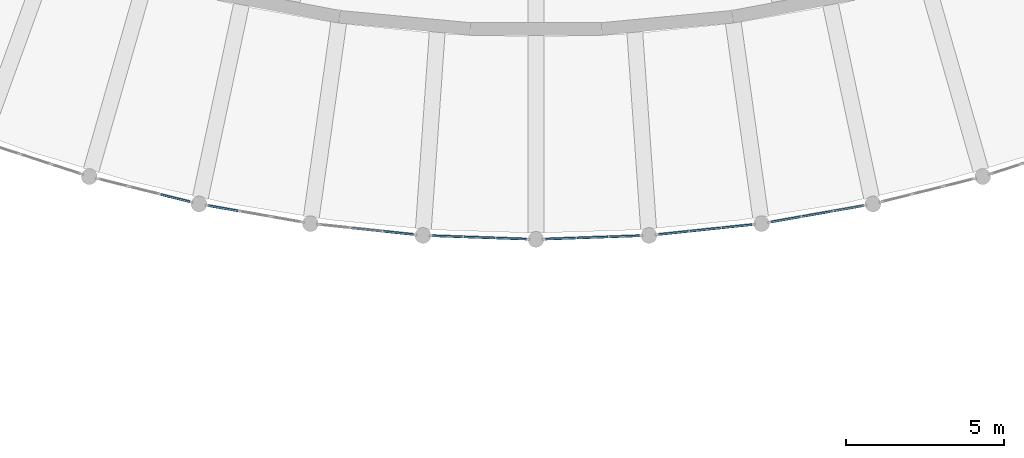
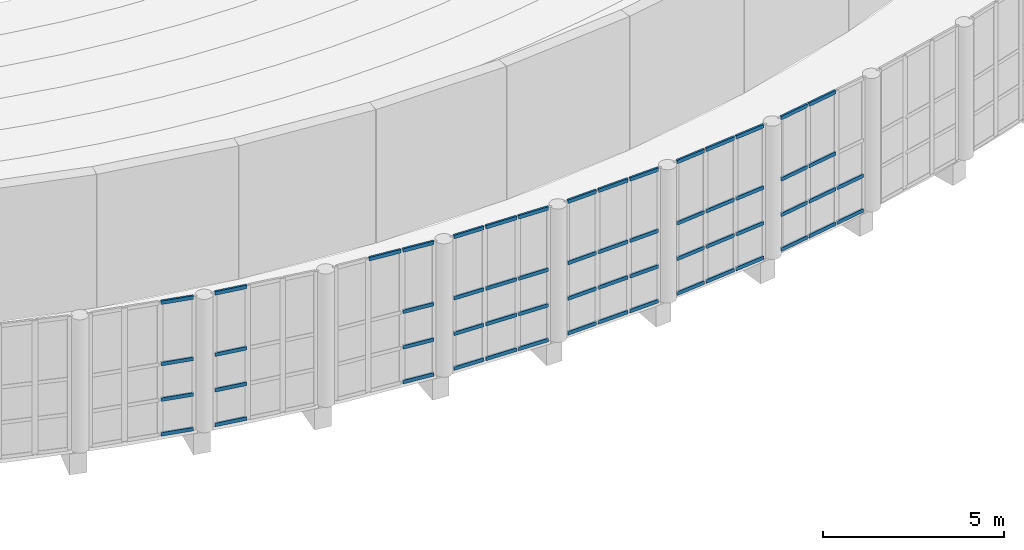
# One storey, part 59 of 162: 59 members, 7 elements without a shape of their own.
"""IFC4 building model written with IfcOpenShell, lengths in metres."""

from ifc_helpers import new_model, si_unit, direction, frame, origin, origin_2d, place, context, subcontext, project, spatial, rectangle, extrude, material, layer, layer_set, material_profile, profile_set, type_object, element, aggregate, save


model = new_model("IFC4")

# Units and contexts
model_context = context("Model", 3, precision=1e-05, world=origin(), true_north=direction((0.0, 1.0)))
body_context = subcontext(model_context, "Body", "Model", "MODEL_VIEW")
ifc_project = project(units=[si_unit("LENGTHUNIT", "METRE"), si_unit("AREAUNIT", "SQUARE_METRE"), si_unit("VOLUMEUNIT", "CUBIC_METRE"), si_unit("PLANEANGLEUNIT", "RADIAN"), si_unit("MASSUNIT", "GRAM", prefix="KILO")], contexts=[model_context])

# Site, building, storey
site_placement = place(None, origin())
site = spatial("IfcSite", under=ifc_project, at=site_placement, CompositionType="ELEMENT")
building_placement = place(site_placement, origin())
building = spatial("IfcBuilding", under=site, at=building_placement, Name="Rain Tree Exposition and Congress Centre", CompositionType="ELEMENT")
storey_placement = place(building_placement, frame((0.0, 0.0, 6.0)))
storey = spatial("IfcBuildingStorey", under=building, at=storey_placement, Name="L01", CompositionType="ELEMENT", Elevation=6.0)

# Curtain wall, members
ifc_material_1 = material(Name="Aluminium", Category="aluminium")
ifc_layer = layer(ifc_material_1, 0.10009765625)
ifc_layer_set = layer_set([ifc_layer], Name="Aluminium")
curtain_wall_type = type_object("IfcCurtainWallType", Name="Curtain wall congress", PredefinedType="NOTDEFINED", material=ifc_layer_set)
curtain_wall_1_placement = place(storey_placement, origin())
curtain_wall_1 = element("IfcCurtainWall", 1, at=curtain_wall_1_placement, inside=storey, type_object=curtain_wall_type, Name="Curtain wall L01 bay 7", PredefinedType="NOTDEFINED")
ifc_material_2 = material(Name="Aluminium", Category="aluminium")
ifc_material_profile = material_profile(ifc_material_2, rectangle(XDim=0.06005859375, YDim=0.1201171875, at=origin_2d()), Name="AL 60x120")
ifc_profile_set = profile_set([ifc_material_profile], Name="Aluminium")
member_type = type_object("IfcMemberType", Name="Curtain wall transom 60x120 congress", PredefinedType="USERDEFINED", material=ifc_profile_set)
member_1_placement = place(storey_placement, frame((189.747314453125, 17.419921875, 0.030029296875), z_axis=(0.970295984, -0.241920861923, 0.0), x_axis=(0.241920861923, 0.970295984, 0.0)))
member_1 = element("IfcMember", 2, at=member_1_placement, type_object=member_type, Name="CWG207 transom 3.1", ObjectType="TRANSOM", PredefinedType="USERDEFINED", context=body_context, shape_type="SweptSolid", body=[
    extrude(rectangle(XDim=0.06005859375, YDim=0.1201171875, at=origin_2d()), origin(), (0.0, 0.0, 1.0), 0.9345703125),
])
member_2_placement = place(storey_placement, frame((189.747314453125, 17.419921875, 1.199951171875), z_axis=(0.970295984, -0.241920861923, 0.0), x_axis=(0.241920861923, 0.970295984, 0.0)))
member_2 = element("IfcMember", 3, at=member_2_placement, type_object=member_type, Name="CWG207 transom 3.2", ObjectType="TRANSOM", PredefinedType="USERDEFINED", context=body_context, shape_type="SweptSolid", body=[
    extrude(rectangle(XDim=0.06005859375, YDim=0.1201171875, at=origin_2d()), origin(), (0.0, 0.0, 1.0), 0.9345703125),
])
member_3_placement = place(storey_placement, frame((189.747314453125, 17.419921875, 2.39990234375), z_axis=(0.970295984, -0.241920861923, 0.0), x_axis=(0.241920861923, 0.970295984, 0.0)))
member_3 = element("IfcMember", 4, at=member_3_placement, type_object=member_type, Name="CWG207 transom 3.3", ObjectType="TRANSOM", PredefinedType="USERDEFINED", context=body_context, shape_type="SweptSolid", body=[
    extrude(rectangle(XDim=0.06005859375, YDim=0.1201171875, at=origin_2d()), origin(), (0.0, 0.0, 1.0), 0.9345703125),
])
member_4_placement = place(storey_placement, frame((189.747314453125, 17.419921875, 4.469970703125), z_axis=(0.970295984, -0.241920861923, 0.0), x_axis=(0.241920861923, 0.970295984, 0.0)))
member_4 = element("IfcMember", 5, at=member_4_placement, type_object=member_type, Name="CWG207 transom 3.4", ObjectType="TRANSOM", PredefinedType="USERDEFINED", context=body_context, shape_type="SweptSolid", body=[
    extrude(rectangle(XDim=0.06005859375, YDim=0.1201171875, at=origin_2d()), origin(), (0.0, 0.0, 1.0), 0.9345703125),
])
aggregate(curtain_wall_1, [member_1, member_2, member_3, member_4])

curtain_wall_2_placement = place(storey_placement, origin())
curtain_wall_2 = element("IfcCurtainWall", 6, at=curtain_wall_2_placement, inside=storey, type_object=curtain_wall_type, Name="Curtain wall L01 bay 8", PredefinedType="NOTDEFINED")
member_5_placement = place(storey_placement, frame((191.26025390625, 17.06494140625, 0.030029296875), z_axis=(0.984796704621, -0.173710824555, 0.0), x_axis=(0.173710824555, 0.984796704621, 0.0)))
member_5 = element("IfcMember", 7, at=member_5_placement, type_object=member_type, Name="CWG208 transom 1.1", ObjectType="TRANSOM", PredefinedType="USERDEFINED", context=body_context, shape_type="SweptSolid", body=[
    extrude(rectangle(XDim=0.06005859375, YDim=0.1201171875, at=origin_2d()), origin(), (0.0, 0.0, 1.0), 0.9345703125),
])
member_6_placement = place(storey_placement, frame((191.26025390625, 17.06494140625, 1.199951171875), z_axis=(0.984796704621, -0.173710824555, 0.0), x_axis=(0.173710824555, 0.984796704621, 0.0)))
member_6 = element("IfcMember", 8, at=member_6_placement, type_object=member_type, Name="CWG208 transom 1.2", ObjectType="TRANSOM", PredefinedType="USERDEFINED", context=body_context, shape_type="SweptSolid", body=[
    extrude(rectangle(XDim=0.06005859375, YDim=0.1201171875, at=origin_2d()), origin(), (0.0, 0.0, 1.0), 0.9345703125),
])
member_7_placement = place(storey_placement, frame((191.26025390625, 17.06494140625, 2.39990234375), z_axis=(0.984796704621, -0.173710824555, 0.0), x_axis=(0.173710824555, 0.984796704621, 0.0)))
member_7 = element("IfcMember", 9, at=member_7_placement, type_object=member_type, Name="CWG208 transom 1.3", ObjectType="TRANSOM", PredefinedType="USERDEFINED", context=body_context, shape_type="SweptSolid", body=[
    extrude(rectangle(XDim=0.06005859375, YDim=0.1201171875, at=origin_2d()), origin(), (0.0, 0.0, 1.0), 0.9345703125),
])
member_8_placement = place(storey_placement, frame((191.26025390625, 17.06494140625, 4.469970703125), z_axis=(0.984796704621, -0.173710824555, 0.0), x_axis=(0.173710824555, 0.984796704621, 0.0)))
member_8 = element("IfcMember", 10, at=member_8_placement, type_object=member_type, Name="CWG208 transom 1.4", ObjectType="TRANSOM", PredefinedType="USERDEFINED", context=body_context, shape_type="SweptSolid", body=[
    extrude(rectangle(XDim=0.06005859375, YDim=0.1201171875, at=origin_2d()), origin(), (0.0, 0.0, 1.0), 0.9345703125),
])
aggregate(curtain_wall_2, [member_5, member_6, member_7, member_8])

curtain_wall_3_placement = place(storey_placement, origin())
curtain_wall_3 = element("IfcCurtainWall", 11, at=curtain_wall_3_placement, inside=storey, type_object=curtain_wall_type, Name="Curtain wall L01 bay 9", PredefinedType="NOTDEFINED")
member_9_placement = place(storey_placement, frame((195.771728515625, 16.36181640625, 4.469970703125), z_axis=(0.994520699095, -0.10453984442, 0.0), x_axis=(0.10453984442, 0.994520699095, 0.0)))
member_9 = element("IfcMember", 12, at=member_9_placement, type_object=member_type, Name="CWG209 transom 2.4", ObjectType="TRANSOM", PredefinedType="USERDEFINED", context=body_context, shape_type="SweptSolid", body=[
    extrude(rectangle(XDim=0.06005859375, YDim=0.1201171875, at=origin_2d()), origin(), (0.0, 0.0, 1.0), 0.964599609375),
])
member_10_placement = place(storey_placement, frame((196.790771484375, 16.2548828125, 0.030029296875), z_axis=(0.994525474721, -0.104494402387, 0.0), x_axis=(0.104494402387, 0.994525474721, 0.0)))
member_10 = element("IfcMember", 13, at=member_10_placement, type_object=member_type, Name="CWG209 transom 3.1", ObjectType="TRANSOM", PredefinedType="USERDEFINED", context=body_context, shape_type="SweptSolid", body=[
    extrude(rectangle(XDim=0.06005859375, YDim=0.1201171875, at=origin_2d()), origin(), (0.0, 0.0, 1.0), 0.9345703125),
])
member_11_placement = place(storey_placement, frame((196.790771484375, 16.2548828125, 1.199951171875), z_axis=(0.994525474721, -0.104494402387, 0.0), x_axis=(0.104494402387, 0.994525474721, 0.0)))
member_11 = element("IfcMember", 14, at=member_11_placement, type_object=member_type, Name="CWG209 transom 3.2", ObjectType="TRANSOM", PredefinedType="USERDEFINED", context=body_context, shape_type="SweptSolid", body=[
    extrude(rectangle(XDim=0.06005859375, YDim=0.1201171875, at=origin_2d()), origin(), (0.0, 0.0, 1.0), 0.9345703125),
])
member_12_placement = place(storey_placement, frame((196.790771484375, 16.2548828125, 2.39990234375), z_axis=(0.994525474721, -0.104494402387, 0.0), x_axis=(0.104494402387, 0.994525474721, 0.0)))
member_12 = element("IfcMember", 15, at=member_12_placement, type_object=member_type, Name="CWG209 transom 3.3", ObjectType="TRANSOM", PredefinedType="USERDEFINED", context=body_context, shape_type="SweptSolid", body=[
    extrude(rectangle(XDim=0.06005859375, YDim=0.1201171875, at=origin_2d()), origin(), (0.0, 0.0, 1.0), 0.9345703125),
])
member_13_placement = place(storey_placement, frame((196.790771484375, 16.2548828125, 4.469970703125), z_axis=(0.994525474721, -0.104494402387, 0.0), x_axis=(0.104494402387, 0.994525474721, 0.0)))
member_13 = element("IfcMember", 16, at=member_13_placement, type_object=member_type, Name="CWG209 transom 3.4", ObjectType="TRANSOM", PredefinedType="USERDEFINED", context=body_context, shape_type="SweptSolid", body=[
    extrude(rectangle(XDim=0.06005859375, YDim=0.1201171875, at=origin_2d()), origin(), (0.0, 0.0, 1.0), 0.9345703125),
])
aggregate(curtain_wall_3, [member_9, member_10, member_11, member_12, member_13])

curtain_wall_4_placement = place(storey_placement, origin())
curtain_wall_4 = element("IfcCurtainWall", 17, at=curtain_wall_4_placement, inside=storey, type_object=curtain_wall_type, Name="Curtain wall L01 bay 10", PredefinedType="NOTDEFINED")
member_14_placement = place(storey_placement, frame((198.33837890625, 16.114013671875, 0.030029296875), z_axis=(0.999386919937, -0.035011201901, 0.0), x_axis=(0.035011201901, 0.999386919937, 0.0)))
member_14 = element("IfcMember", 18, at=member_14_placement, type_object=member_type, Name="CWG210 transom 1.1", ObjectType="TRANSOM", PredefinedType="USERDEFINED", context=body_context, shape_type="SweptSolid", body=[
    extrude(rectangle(XDim=0.06005859375, YDim=0.1201171875, at=origin_2d()), origin(), (0.0, 0.0, 1.0), 0.934326171875),
])
member_15_placement = place(storey_placement, frame((198.33837890625, 16.114013671875, 1.199951171875), z_axis=(0.999386919937, -0.035011201901, 0.0), x_axis=(0.035011201901, 0.999386919937, 0.0)))
member_15 = element("IfcMember", 19, at=member_15_placement, type_object=member_type, Name="CWG210 transom 1.2", ObjectType="TRANSOM", PredefinedType="USERDEFINED", context=body_context, shape_type="SweptSolid", body=[
    extrude(rectangle(XDim=0.06005859375, YDim=0.1201171875, at=origin_2d()), origin(), (0.0, 0.0, 1.0), 0.934326171875),
])
member_16_placement = place(storey_placement, frame((198.33837890625, 16.114013671875, 2.39990234375), z_axis=(0.999386919937, -0.035011201901, 0.0), x_axis=(0.035011201901, 0.999386919937, 0.0)))
member_16 = element("IfcMember", 20, at=member_16_placement, type_object=member_type, Name="CWG210 transom 1.3", ObjectType="TRANSOM", PredefinedType="USERDEFINED", context=body_context, shape_type="SweptSolid", body=[
    extrude(rectangle(XDim=0.06005859375, YDim=0.1201171875, at=origin_2d()), origin(), (0.0, 0.0, 1.0), 0.934326171875),
])
member_17_placement = place(storey_placement, frame((198.33837890625, 16.114013671875, 4.469970703125), z_axis=(0.999386919937, -0.035011201901, 0.0), x_axis=(0.035011201901, 0.999386919937, 0.0)))
member_17 = element("IfcMember", 21, at=member_17_placement, type_object=member_type, Name="CWG210 transom 1.4", ObjectType="TRANSOM", PredefinedType="USERDEFINED", context=body_context, shape_type="SweptSolid", body=[
    extrude(rectangle(XDim=0.06005859375, YDim=0.1201171875, at=origin_2d()), origin(), (0.0, 0.0, 1.0), 0.934326171875),
])
member_18_placement = place(storey_placement, frame((199.332275390625, 16.0791015625, 0.030029296875), z_axis=(0.999389653944, -0.03493307301, 0.0), x_axis=(0.03493307301, 0.999389653944, 0.0)))
member_18 = element("IfcMember", 22, at=member_18_placement, type_object=member_type, Name="CWG210 transom 2.1", ObjectType="TRANSOM", PredefinedType="USERDEFINED", context=body_context, shape_type="SweptSolid", body=[
    extrude(rectangle(XDim=0.06005859375, YDim=0.1201171875, at=origin_2d()), origin(), (0.0, 0.0, 1.0), 0.96435546875),
])
member_19_placement = place(storey_placement, frame((199.332275390625, 16.0791015625, 1.199951171875), z_axis=(0.999389653944, -0.03493307301, 0.0), x_axis=(0.03493307301, 0.999389653944, 0.0)))
member_19 = element("IfcMember", 23, at=member_19_placement, type_object=member_type, Name="CWG210 transom 2.2", ObjectType="TRANSOM", PredefinedType="USERDEFINED", context=body_context, shape_type="SweptSolid", body=[
    extrude(rectangle(XDim=0.06005859375, YDim=0.1201171875, at=origin_2d()), origin(), (0.0, 0.0, 1.0), 0.96435546875),
])
member_20_placement = place(storey_placement, frame((199.332275390625, 16.0791015625, 2.39990234375), z_axis=(0.999389653944, -0.03493307301, 0.0), x_axis=(0.03493307301, 0.999389653944, 0.0)))
member_20 = element("IfcMember", 24, at=member_20_placement, type_object=member_type, Name="CWG210 transom 2.3", ObjectType="TRANSOM", PredefinedType="USERDEFINED", context=body_context, shape_type="SweptSolid", body=[
    extrude(rectangle(XDim=0.06005859375, YDim=0.1201171875, at=origin_2d()), origin(), (0.0, 0.0, 1.0), 0.96435546875),
])
member_21_placement = place(storey_placement, frame((199.332275390625, 16.0791015625, 4.469970703125), z_axis=(0.999389653944, -0.03493307301, 0.0), x_axis=(0.03493307301, 0.999389653944, 0.0)))
member_21 = element("IfcMember", 25, at=member_21_placement, type_object=member_type, Name="CWG210 transom 2.4", ObjectType="TRANSOM", PredefinedType="USERDEFINED", context=body_context, shape_type="SweptSolid", body=[
    extrude(rectangle(XDim=0.06005859375, YDim=0.1201171875, at=origin_2d()), origin(), (0.0, 0.0, 1.0), 0.96435546875),
])
member_22_placement = place(storey_placement, frame((200.356201171875, 16.04345703125, 0.030029296875), z_axis=(0.999387240082, -0.035002062251, 0.0), x_axis=(0.035002062251, 0.999387240082, 0.0)))
member_22 = element("IfcMember", 26, at=member_22_placement, type_object=member_type, Name="CWG210 transom 3.1", ObjectType="TRANSOM", PredefinedType="USERDEFINED", context=body_context, shape_type="SweptSolid", body=[
    extrude(rectangle(XDim=0.06005859375, YDim=0.1201171875, at=origin_2d()), origin(), (0.0, 0.0, 1.0), 0.9345703125),
])
member_23_placement = place(storey_placement, frame((200.356201171875, 16.04345703125, 1.199951171875), z_axis=(0.999387240082, -0.035002062251, 0.0), x_axis=(0.035002062251, 0.999387240082, 0.0)))
member_23 = element("IfcMember", 27, at=member_23_placement, type_object=member_type, Name="CWG210 transom 3.2", ObjectType="TRANSOM", PredefinedType="USERDEFINED", context=body_context, shape_type="SweptSolid", body=[
    extrude(rectangle(XDim=0.06005859375, YDim=0.1201171875, at=origin_2d()), origin(), (0.0, 0.0, 1.0), 0.9345703125),
])
member_24_placement = place(storey_placement, frame((200.356201171875, 16.04345703125, 2.39990234375), z_axis=(0.999387240082, -0.035002062251, 0.0), x_axis=(0.035002062251, 0.999387240082, 0.0)))
member_24 = element("IfcMember", 28, at=member_24_placement, type_object=member_type, Name="CWG210 transom 3.3", ObjectType="TRANSOM", PredefinedType="USERDEFINED", context=body_context, shape_type="SweptSolid", body=[
    extrude(rectangle(XDim=0.06005859375, YDim=0.1201171875, at=origin_2d()), origin(), (0.0, 0.0, 1.0), 0.9345703125),
])
member_25_placement = place(storey_placement, frame((200.356201171875, 16.04345703125, 4.469970703125), z_axis=(0.999387240082, -0.035002062251, 0.0), x_axis=(0.035002062251, 0.999387240082, 0.0)))
member_25 = element("IfcMember", 29, at=member_25_placement, type_object=member_type, Name="CWG210 transom 3.4", ObjectType="TRANSOM", PredefinedType="USERDEFINED", context=body_context, shape_type="SweptSolid", body=[
    extrude(rectangle(XDim=0.06005859375, YDim=0.1201171875, at=origin_2d()), origin(), (0.0, 0.0, 1.0), 0.9345703125),
])
aggregate(curtain_wall_4, [member_14, member_15, member_16, member_17, member_18, member_19, member_20, member_21, member_22, member_23, member_24, member_25])

curtain_wall_5_placement = place(storey_placement, origin())
curtain_wall_5 = element("IfcCurtainWall", 30, at=curtain_wall_5_placement, inside=storey, type_object=curtain_wall_type, Name="Curtain wall L01 bay 11", PredefinedType="NOTDEFINED")
member_26_placement = place(storey_placement, frame((201.90966796875, 16.0107421875, 0.030029296875), z_axis=(0.999387240082, 0.035002062251, 0.0), x_axis=(-0.035002062251, 0.999387240082, 0.0)))
member_26 = element("IfcMember", 31, at=member_26_placement, type_object=member_type, Name="CWG211 transom 1.1", ObjectType="TRANSOM", PredefinedType="USERDEFINED", context=body_context, shape_type="SweptSolid", body=[
    extrude(rectangle(XDim=0.06005859375, YDim=0.1201171875, at=origin_2d()), origin(), (0.0, 0.0, 1.0), 0.9345703125),
])
member_27_placement = place(storey_placement, frame((201.90966796875, 16.0107421875, 1.199951171875), z_axis=(0.999387240082, 0.035002062251, 0.0), x_axis=(-0.035002062251, 0.999387240082, 0.0)))
member_27 = element("IfcMember", 32, at=member_27_placement, type_object=member_type, Name="CWG211 transom 1.2", ObjectType="TRANSOM", PredefinedType="USERDEFINED", context=body_context, shape_type="SweptSolid", body=[
    extrude(rectangle(XDim=0.06005859375, YDim=0.1201171875, at=origin_2d()), origin(), (0.0, 0.0, 1.0), 0.9345703125),
])
member_28_placement = place(storey_placement, frame((201.90966796875, 16.0107421875, 2.39990234375), z_axis=(0.999387240082, 0.035002062251, 0.0), x_axis=(-0.035002062251, 0.999387240082, 0.0)))
member_28 = element("IfcMember", 33, at=member_28_placement, type_object=member_type, Name="CWG211 transom 1.3", ObjectType="TRANSOM", PredefinedType="USERDEFINED", context=body_context, shape_type="SweptSolid", body=[
    extrude(rectangle(XDim=0.06005859375, YDim=0.1201171875, at=origin_2d()), origin(), (0.0, 0.0, 1.0), 0.9345703125),
])
member_29_placement = place(storey_placement, frame((201.90966796875, 16.0107421875, 4.469970703125), z_axis=(0.999387240082, 0.035002062251, 0.0), x_axis=(-0.035002062251, 0.999387240082, 0.0)))
member_29 = element("IfcMember", 34, at=member_29_placement, type_object=member_type, Name="CWG211 transom 1.4", ObjectType="TRANSOM", PredefinedType="USERDEFINED", context=body_context, shape_type="SweptSolid", body=[
    extrude(rectangle(XDim=0.06005859375, YDim=0.1201171875, at=origin_2d()), origin(), (0.0, 0.0, 1.0), 0.9345703125),
])
member_30_placement = place(storey_placement, frame((202.90380859375, 16.04541015625, 0.030029296875), z_axis=(0.999389653944, 0.03493307301, 0.0), x_axis=(-0.03493307301, 0.999389653944, 0.0)))
member_30 = element("IfcMember", 35, at=member_30_placement, type_object=member_type, Name="CWG211 transom 2.1", ObjectType="TRANSOM", PredefinedType="USERDEFINED", context=body_context, shape_type="SweptSolid", body=[
    extrude(rectangle(XDim=0.06005859375, YDim=0.1201171875, at=origin_2d()), origin(), (0.0, 0.0, 1.0), 0.96435546875),
])
member_31_placement = place(storey_placement, frame((202.90380859375, 16.04541015625, 1.199951171875), z_axis=(0.999389653944, 0.03493307301, 0.0), x_axis=(-0.03493307301, 0.999389653944, 0.0)))
member_31 = element("IfcMember", 36, at=member_31_placement, type_object=member_type, Name="CWG211 transom 2.2", ObjectType="TRANSOM", PredefinedType="USERDEFINED", context=body_context, shape_type="SweptSolid", body=[
    extrude(rectangle(XDim=0.06005859375, YDim=0.1201171875, at=origin_2d()), origin(), (0.0, 0.0, 1.0), 0.96435546875),
])
member_32_placement = place(storey_placement, frame((202.90380859375, 16.04541015625, 2.39990234375), z_axis=(0.999389653944, 0.03493307301, 0.0), x_axis=(-0.03493307301, 0.999389653944, 0.0)))
member_32 = element("IfcMember", 37, at=member_32_placement, type_object=member_type, Name="CWG211 transom 2.3", ObjectType="TRANSOM", PredefinedType="USERDEFINED", context=body_context, shape_type="SweptSolid", body=[
    extrude(rectangle(XDim=0.06005859375, YDim=0.1201171875, at=origin_2d()), origin(), (0.0, 0.0, 1.0), 0.96435546875),
])
member_33_placement = place(storey_placement, frame((202.90380859375, 16.04541015625, 4.469970703125), z_axis=(0.999389653944, 0.03493307301, 0.0), x_axis=(-0.03493307301, 0.999389653944, 0.0)))
member_33 = element("IfcMember", 38, at=member_33_placement, type_object=member_type, Name="CWG211 transom 2.4", ObjectType="TRANSOM", PredefinedType="USERDEFINED", context=body_context, shape_type="SweptSolid", body=[
    extrude(rectangle(XDim=0.06005859375, YDim=0.1201171875, at=origin_2d()), origin(), (0.0, 0.0, 1.0), 0.96435546875),
])
member_34_placement = place(storey_placement, frame((203.927734375, 16.081298828125, 0.030029296875), z_axis=(0.999387240082, 0.035002062251, 0.0), x_axis=(-0.035002062251, 0.999387240082, 0.0)))
member_34 = element("IfcMember", 39, at=member_34_placement, type_object=member_type, Name="CWG211 transom 3.1", ObjectType="TRANSOM", PredefinedType="USERDEFINED", context=body_context, shape_type="SweptSolid", body=[
    extrude(rectangle(XDim=0.06005859375, YDim=0.1201171875, at=origin_2d()), origin(), (0.0, 0.0, 1.0), 0.9345703125),
])
member_35_placement = place(storey_placement, frame((203.927734375, 16.081298828125, 1.199951171875), z_axis=(0.999387240082, 0.035002062251, 0.0), x_axis=(-0.035002062251, 0.999387240082, 0.0)))
member_35 = element("IfcMember", 40, at=member_35_placement, type_object=member_type, Name="CWG211 transom 3.2", ObjectType="TRANSOM", PredefinedType="USERDEFINED", context=body_context, shape_type="SweptSolid", body=[
    extrude(rectangle(XDim=0.06005859375, YDim=0.1201171875, at=origin_2d()), origin(), (0.0, 0.0, 1.0), 0.9345703125),
])
member_36_placement = place(storey_placement, frame((203.927734375, 16.081298828125, 2.39990234375), z_axis=(0.999387240082, 0.035002062251, 0.0), x_axis=(-0.035002062251, 0.999387240082, 0.0)))
member_36 = element("IfcMember", 41, at=member_36_placement, type_object=member_type, Name="CWG211 transom 3.3", ObjectType="TRANSOM", PredefinedType="USERDEFINED", context=body_context, shape_type="SweptSolid", body=[
    extrude(rectangle(XDim=0.06005859375, YDim=0.1201171875, at=origin_2d()), origin(), (0.0, 0.0, 1.0), 0.9345703125),
])
member_37_placement = place(storey_placement, frame((203.927734375, 16.081298828125, 4.469970703125), z_axis=(0.999387240082, 0.035002062251, 0.0), x_axis=(-0.035002062251, 0.999387240082, 0.0)))
member_37 = element("IfcMember", 42, at=member_37_placement, type_object=member_type, Name="CWG211 transom 3.4", ObjectType="TRANSOM", PredefinedType="USERDEFINED", context=body_context, shape_type="SweptSolid", body=[
    extrude(rectangle(XDim=0.06005859375, YDim=0.1201171875, at=origin_2d()), origin(), (0.0, 0.0, 1.0), 0.9345703125),
])
aggregate(curtain_wall_5, [member_26, member_27, member_28, member_29, member_30, member_31, member_32, member_33, member_34, member_35, member_36, member_37])

curtain_wall_6_placement = place(storey_placement, origin())
curtain_wall_6 = element("IfcCurtainWall", 43, at=curtain_wall_6_placement, inside=storey, type_object=curtain_wall_type, Name="Curtain wall L01 bay 12", PredefinedType="NOTDEFINED")
member_38_placement = place(storey_placement, frame((205.47998046875, 16.1572265625, 0.030029296875), z_axis=(0.994522621152, 0.104521557662, 0.0), x_axis=(-0.104521557662, 0.994522621152, 0.0)))
member_38 = element("IfcMember", 44, at=member_38_placement, type_object=member_type, Name="CWG212 transom 1.1", ObjectType="TRANSOM", PredefinedType="USERDEFINED", context=body_context, shape_type="SweptSolid", body=[
    extrude(rectangle(XDim=0.06005859375, YDim=0.1201171875, at=origin_2d()), origin(), (0.0, 0.0, 1.0), 0.934326171875),
])
member_39_placement = place(storey_placement, frame((205.47998046875, 16.1572265625, 1.199951171875), z_axis=(0.994522621152, 0.104521557662, 0.0), x_axis=(-0.104521557662, 0.994522621152, 0.0)))
member_39 = element("IfcMember", 45, at=member_39_placement, type_object=member_type, Name="CWG212 transom 1.2", ObjectType="TRANSOM", PredefinedType="USERDEFINED", context=body_context, shape_type="SweptSolid", body=[
    extrude(rectangle(XDim=0.06005859375, YDim=0.1201171875, at=origin_2d()), origin(), (0.0, 0.0, 1.0), 0.934326171875),
])
member_40_placement = place(storey_placement, frame((205.47998046875, 16.1572265625, 2.39990234375), z_axis=(0.994522621152, 0.104521557662, 0.0), x_axis=(-0.104521557662, 0.994522621152, 0.0)))
member_40 = element("IfcMember", 46, at=member_40_placement, type_object=member_type, Name="CWG212 transom 1.3", ObjectType="TRANSOM", PredefinedType="USERDEFINED", context=body_context, shape_type="SweptSolid", body=[
    extrude(rectangle(XDim=0.06005859375, YDim=0.1201171875, at=origin_2d()), origin(), (0.0, 0.0, 1.0), 0.934326171875),
])
member_41_placement = place(storey_placement, frame((205.47998046875, 16.1572265625, 4.469970703125), z_axis=(0.994522621152, 0.104521557662, 0.0), x_axis=(-0.104521557662, 0.994522621152, 0.0)))
member_41 = element("IfcMember", 47, at=member_41_placement, type_object=member_type, Name="CWG212 transom 1.4", ObjectType="TRANSOM", PredefinedType="USERDEFINED", context=body_context, shape_type="SweptSolid", body=[
    extrude(rectangle(XDim=0.06005859375, YDim=0.1201171875, at=origin_2d()), origin(), (0.0, 0.0, 1.0), 0.934326171875),
])
member_42_placement = place(storey_placement, frame((206.468994140625, 16.260986328125, 0.030029296875), z_axis=(0.994520699095, 0.10453984442, 0.0), x_axis=(-0.10453984442, 0.994520699095, 0.0)))
member_42 = element("IfcMember", 48, at=member_42_placement, type_object=member_type, Name="CWG212 transom 2.1", ObjectType="TRANSOM", PredefinedType="USERDEFINED", context=body_context, shape_type="SweptSolid", body=[
    extrude(rectangle(XDim=0.06005859375, YDim=0.1201171875, at=origin_2d()), origin(), (0.0, 0.0, 1.0), 0.964599609375),
])
member_43_placement = place(storey_placement, frame((206.468994140625, 16.260986328125, 1.199951171875), z_axis=(0.994520699095, 0.10453984442, 0.0), x_axis=(-0.10453984442, 0.994520699095, 0.0)))
member_43 = element("IfcMember", 49, at=member_43_placement, type_object=member_type, Name="CWG212 transom 2.2", ObjectType="TRANSOM", PredefinedType="USERDEFINED", context=body_context, shape_type="SweptSolid", body=[
    extrude(rectangle(XDim=0.06005859375, YDim=0.1201171875, at=origin_2d()), origin(), (0.0, 0.0, 1.0), 0.964599609375),
])
member_44_placement = place(storey_placement, frame((206.468994140625, 16.260986328125, 2.39990234375), z_axis=(0.994520699095, 0.10453984442, 0.0), x_axis=(-0.10453984442, 0.994520699095, 0.0)))
member_44 = element("IfcMember", 50, at=member_44_placement, type_object=member_type, Name="CWG212 transom 2.3", ObjectType="TRANSOM", PredefinedType="USERDEFINED", context=body_context, shape_type="SweptSolid", body=[
    extrude(rectangle(XDim=0.06005859375, YDim=0.1201171875, at=origin_2d()), origin(), (0.0, 0.0, 1.0), 0.964599609375),
])
member_45_placement = place(storey_placement, frame((206.468994140625, 16.260986328125, 4.469970703125), z_axis=(0.994520699095, 0.10453984442, 0.0), x_axis=(-0.10453984442, 0.994520699095, 0.0)))
member_45 = element("IfcMember", 51, at=member_45_placement, type_object=member_type, Name="CWG212 transom 2.4", ObjectType="TRANSOM", PredefinedType="USERDEFINED", context=body_context, shape_type="SweptSolid", body=[
    extrude(rectangle(XDim=0.06005859375, YDim=0.1201171875, at=origin_2d()), origin(), (0.0, 0.0, 1.0), 0.964599609375),
])
member_46_placement = place(storey_placement, frame((207.48779296875, 16.3681640625, 0.030029296875), z_axis=(0.994525474721, 0.104494402387, 0.0), x_axis=(-0.104494402387, 0.994525474721, 0.0)))
member_46 = element("IfcMember", 52, at=member_46_placement, type_object=member_type, Name="CWG212 transom 3.1", ObjectType="TRANSOM", PredefinedType="USERDEFINED", context=body_context, shape_type="SweptSolid", body=[
    extrude(rectangle(XDim=0.06005859375, YDim=0.1201171875, at=origin_2d()), origin(), (0.0, 0.0, 1.0), 0.9345703125),
])
member_47_placement = place(storey_placement, frame((207.48779296875, 16.3681640625, 1.199951171875), z_axis=(0.994525474721, 0.104494402387, 0.0), x_axis=(-0.104494402387, 0.994525474721, 0.0)))
member_47 = element("IfcMember", 53, at=member_47_placement, type_object=member_type, Name="CWG212 transom 3.2", ObjectType="TRANSOM", PredefinedType="USERDEFINED", context=body_context, shape_type="SweptSolid", body=[
    extrude(rectangle(XDim=0.06005859375, YDim=0.1201171875, at=origin_2d()), origin(), (0.0, 0.0, 1.0), 0.9345703125),
])
member_48_placement = place(storey_placement, frame((207.48779296875, 16.3681640625, 2.39990234375), z_axis=(0.994525474721, 0.104494402387, 0.0), x_axis=(-0.104494402387, 0.994525474721, 0.0)))
member_48 = element("IfcMember", 54, at=member_48_placement, type_object=member_type, Name="CWG212 transom 3.3", ObjectType="TRANSOM", PredefinedType="USERDEFINED", context=body_context, shape_type="SweptSolid", body=[
    extrude(rectangle(XDim=0.06005859375, YDim=0.1201171875, at=origin_2d()), origin(), (0.0, 0.0, 1.0), 0.9345703125),
])
member_49_placement = place(storey_placement, frame((207.48779296875, 16.3681640625, 4.469970703125), z_axis=(0.994525474721, 0.104494402387, 0.0), x_axis=(-0.104494402387, 0.994525474721, 0.0)))
member_49 = element("IfcMember", 55, at=member_49_placement, type_object=member_type, Name="CWG212 transom 3.4", ObjectType="TRANSOM", PredefinedType="USERDEFINED", context=body_context, shape_type="SweptSolid", body=[
    extrude(rectangle(XDim=0.06005859375, YDim=0.1201171875, at=origin_2d()), origin(), (0.0, 0.0, 1.0), 0.9345703125),
])
aggregate(curtain_wall_6, [member_38, member_39, member_40, member_41, member_42, member_43, member_44, member_45, member_46, member_47, member_48, member_49])

curtain_wall_7_placement = place(storey_placement, origin())
curtain_wall_7 = element("IfcCurtainWall", 56, at=curtain_wall_7_placement, inside=storey, type_object=curtain_wall_type, Name="Curtain wall L01 bay 13", PredefinedType="NOTDEFINED")
member_50_placement = place(storey_placement, frame((209.031005859375, 16.552001953125, 0.030029296875), z_axis=(0.984796704621, 0.173710824555, 0.0), x_axis=(-0.173710824555, 0.984796704621, 0.0)))
member_50 = element("IfcMember", 57, at=member_50_placement, type_object=member_type, Name="CWG213 transom 1.1", ObjectType="TRANSOM", PredefinedType="USERDEFINED", context=body_context, shape_type="SweptSolid", body=[
    extrude(rectangle(XDim=0.06005859375, YDim=0.1201171875, at=origin_2d()), origin(), (0.0, 0.0, 1.0), 0.9345703125),
])
member_51_placement = place(storey_placement, frame((209.031005859375, 16.552001953125, 1.199951171875), z_axis=(0.984796704621, 0.173710824555, 0.0), x_axis=(-0.173710824555, 0.984796704621, 0.0)))
member_51 = element("IfcMember", 58, at=member_51_placement, type_object=member_type, Name="CWG213 transom 1.2", ObjectType="TRANSOM", PredefinedType="USERDEFINED", context=body_context, shape_type="SweptSolid", body=[
    extrude(rectangle(XDim=0.06005859375, YDim=0.1201171875, at=origin_2d()), origin(), (0.0, 0.0, 1.0), 0.9345703125),
])
member_52_placement = place(storey_placement, frame((209.031005859375, 16.552001953125, 2.39990234375), z_axis=(0.984796704621, 0.173710824555, 0.0), x_axis=(-0.173710824555, 0.984796704621, 0.0)))
member_52 = element("IfcMember", 59, at=member_52_placement, type_object=member_type, Name="CWG213 transom 1.3", ObjectType="TRANSOM", PredefinedType="USERDEFINED", context=body_context, shape_type="SweptSolid", body=[
    extrude(rectangle(XDim=0.06005859375, YDim=0.1201171875, at=origin_2d()), origin(), (0.0, 0.0, 1.0), 0.9345703125),
])
member_53_placement = place(storey_placement, frame((209.031005859375, 16.552001953125, 4.469970703125), z_axis=(0.984796704621, 0.173710824555, 0.0), x_axis=(-0.173710824555, 0.984796704621, 0.0)))
member_53 = element("IfcMember", 60, at=member_53_placement, type_object=member_type, Name="CWG213 transom 1.4", ObjectType="TRANSOM", PredefinedType="USERDEFINED", context=body_context, shape_type="SweptSolid", body=[
    extrude(rectangle(XDim=0.06005859375, YDim=0.1201171875, at=origin_2d()), origin(), (0.0, 0.0, 1.0), 0.9345703125),
])
member_54_placement = place(storey_placement, frame((210.010498046875, 16.724853515625, 0.030029296875), z_axis=(0.984811573848, 0.173626507237, 0.0), x_axis=(-0.173626507237, 0.984811573848, 0.0)))
member_54 = element("IfcMember", 61, at=member_54_placement, type_object=member_type, Name="CWG213 transom 2.1", ObjectType="TRANSOM", PredefinedType="USERDEFINED", context=body_context, shape_type="SweptSolid", body=[
    extrude(rectangle(XDim=0.06005859375, YDim=0.1201171875, at=origin_2d()), origin(), (0.0, 0.0, 1.0), 0.964599609375),
])
member_55_placement = place(storey_placement, frame((210.010498046875, 16.724853515625, 1.199951171875), z_axis=(0.984811573848, 0.173626507237, 0.0), x_axis=(-0.173626507237, 0.984811573848, 0.0)))
member_55 = element("IfcMember", 62, at=member_55_placement, type_object=member_type, Name="CWG213 transom 2.2", ObjectType="TRANSOM", PredefinedType="USERDEFINED", context=body_context, shape_type="SweptSolid", body=[
    extrude(rectangle(XDim=0.06005859375, YDim=0.1201171875, at=origin_2d()), origin(), (0.0, 0.0, 1.0), 0.964599609375),
])
member_56_placement = place(storey_placement, frame((210.010498046875, 16.724853515625, 2.39990234375), z_axis=(0.984811573848, 0.173626507237, 0.0), x_axis=(-0.173626507237, 0.984811573848, 0.0)))
member_56 = element("IfcMember", 63, at=member_56_placement, type_object=member_type, Name="CWG213 transom 2.3", ObjectType="TRANSOM", PredefinedType="USERDEFINED", context=body_context, shape_type="SweptSolid", body=[
    extrude(rectangle(XDim=0.06005859375, YDim=0.1201171875, at=origin_2d()), origin(), (0.0, 0.0, 1.0), 0.964599609375),
])
member_57_placement = place(storey_placement, frame((210.010498046875, 16.724853515625, 4.469970703125), z_axis=(0.984811573848, 0.173626507237, 0.0), x_axis=(-0.173626507237, 0.984811573848, 0.0)))
member_57 = element("IfcMember", 64, at=member_57_placement, type_object=member_type, Name="CWG213 transom 2.4", ObjectType="TRANSOM", PredefinedType="USERDEFINED", context=body_context, shape_type="SweptSolid", body=[
    extrude(rectangle(XDim=0.06005859375, YDim=0.1201171875, at=origin_2d()), origin(), (0.0, 0.0, 1.0), 0.964599609375),
])
member_58_placement = place(storey_placement, frame((211.01953125, 16.902587890625, 0.030029296875), z_axis=(0.984788819169, 0.173755522618, 0.0), x_axis=(-0.173755522618, 0.984788819169, 0.0)))
member_58 = element("IfcMember", 65, at=member_58_placement, type_object=member_type, Name="CWG213 transom 3.1", ObjectType="TRANSOM", PredefinedType="USERDEFINED", context=body_context, shape_type="SweptSolid", body=[
    extrude(rectangle(XDim=0.06005859375, YDim=0.1201171875, at=origin_2d()), origin(), (0.0, 0.0, 1.0), 0.934326171875),
])
member_59_placement = place(storey_placement, frame((211.01953125, 16.902587890625, 1.199951171875), z_axis=(0.984788819169, 0.173755522618, 0.0), x_axis=(-0.173755522618, 0.984788819169, 0.0)))
member_59 = element("IfcMember", 66, at=member_59_placement, type_object=member_type, Name="CWG213 transom 3.2", ObjectType="TRANSOM", PredefinedType="USERDEFINED", context=body_context, shape_type="SweptSolid", body=[
    extrude(rectangle(XDim=0.06005859375, YDim=0.1201171875, at=origin_2d()), origin(), (0.0, 0.0, 1.0), 0.934326171875),
])
aggregate(curtain_wall_7, [member_50, member_51, member_52, member_53, member_54, member_55, member_56, member_57, member_58, member_59])

save(model, "model.ifc")
